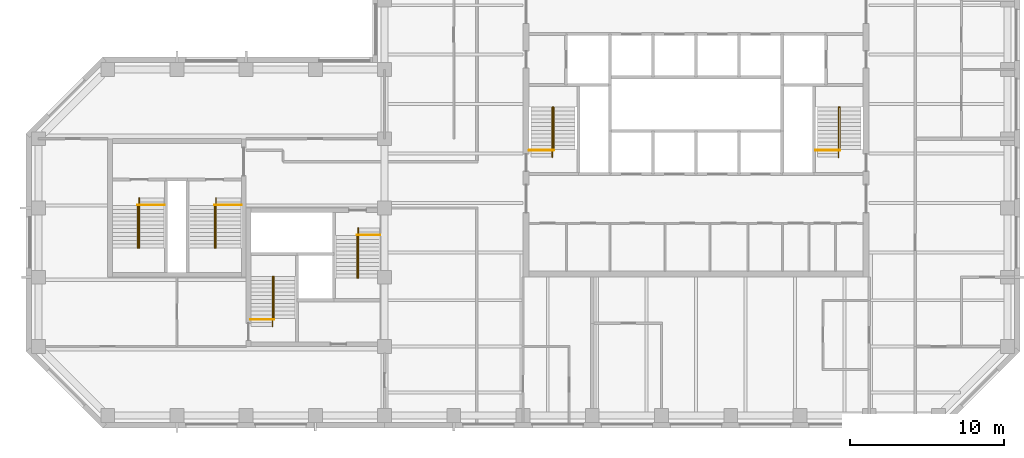
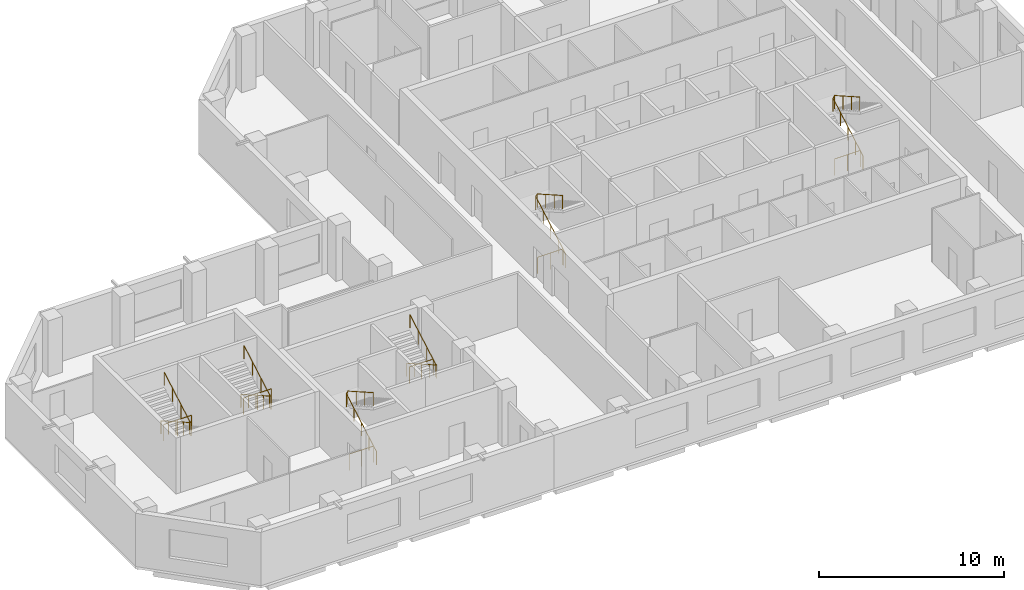
# One storey, part 9 of 9: 12 railings.
"""IFC4 building model written with IfcOpenShell, lengths in metres."""

import ifcopenshell
import ifcopenshell.guid

model = None  # the IFC model being written
_history = None  # IfcOwnerHistory: only IFC2X3 demands one
_inside = {}  # id of a spatial element -> (the spatial element, [elements in it])
_under = {}  # id of a project, library or spatial element -> (it, [spatial elements below it])
_declared = {}  # id of a project -> (the project, [libraries it declares])
_typed = {}  # id of a type object -> (the type object, [elements of that type])
_made_of = {}  # id of a material, layer set ... -> (it, [elements and type objects made of it])


def new_model(schema):
    """Start an empty IFC model of exactly this schema.

    Asked for "IFC4X3", IfcOpenShell would pick the latest addendum, in which some entities
    have other attributes; the version numbers below select the first issue.
    IFC2X3 requires an IfcOwnerHistory on every rooted entity: one is made here for all.
    """
    global model, _history
    if schema == "IFC4X3":
        model = ifcopenshell.file(schema_version=(4, 3, 0, 0))
    else:
        model = ifcopenshell.file(schema=schema)
    _inside.clear()
    _under.clear()
    _declared.clear()
    _typed.clear()
    _made_of.clear()
    _history = None
    if model.schema == "IFC2X3":
        org = make("IfcOrganization", Name="unknown")
        user = make(
            "IfcPersonAndOrganization",
            ThePerson=make("IfcPerson", FamilyName="unknown"),
            TheOrganization=org,
        )
        app = make(
            "IfcApplication",
            ApplicationDeveloper=org,
            Version="unknown",
            ApplicationFullName="unknown",
            ApplicationIdentifier="unknown",
        )
        _history = make(
            "IfcOwnerHistory",
            OwningUser=user,
            OwningApplication=app,
            ChangeAction="ADDED",
            CreationDate=0,
        )
    return model


def make(cls, **values):
    """One entity of the class cls with the attributes given. An attribute that is None is left unset."""
    return model.create_entity(
        cls, **{name: value for name, value in values.items() if value is not None}
    )


def rooted(cls, **values):
    """An entity with a GlobalId (a new one), such as an element, a storey or a relation."""
    return make(cls, GlobalId=ifcopenshell.guid.new(), OwnerHistory=_history, **values)


def si_unit(unit_type, name, prefix=None):
    """IfcSIUnit, for example si_unit("LENGTHUNIT", "METRE", prefix="MILLI")."""
    return make("IfcSIUnit", UnitType=unit_type, Prefix=prefix, Name=name)


def assignment(units):
    """IfcUnitAssignment: the units of a project."""
    return None if units is None else make("IfcUnitAssignment", Units=units)


def point(xyz):
    """IfcCartesianPoint."""
    return None if xyz is None else make("IfcCartesianPoint", Coordinates=xyz)


def direction(xyz):
    """IfcDirection."""
    return None if xyz is None else make("IfcDirection", DirectionRatios=xyz)


def frame(location, z_axis=None, x_axis=None):
    """IfcAxis2Placement3D, a coordinate frame: its origin and axes. An axis left out is left unset."""
    return make(
        "IfcAxis2Placement3D",
        Location=point(location),
        Axis=direction(z_axis),
        RefDirection=direction(x_axis),
    )


def frame_2d(location, x_axis=None):
    """IfcAxis2Placement2D, a coordinate frame in the plane: its origin and x axis."""
    return make(
        "IfcAxis2Placement2D", Location=point(location), RefDirection=direction(x_axis)
    )


def origin():
    """The frame at (0, 0, 0) with its axes left unset."""
    return frame((0.0, 0.0, 0.0))


def origin_2d():
    """The frame at (0, 0) in the plane with its x axis left unset."""
    return frame_2d((0.0, 0.0))


def place(relative_to, where):
    """IfcLocalPlacement: puts the frame where relative to a parent placement (None: the world)."""
    return make(
        "IfcLocalPlacement", PlacementRelTo=relative_to, RelativePlacement=where
    )


def context(
    kind, dimensions, precision=None, world=None, true_north=None, identifier=None
):
    """IfcGeometricRepresentationContext, for example the 3D "Model" context."""
    return make(
        "IfcGeometricRepresentationContext",
        ContextIdentifier=identifier,
        ContextType=kind,
        CoordinateSpaceDimension=dimensions,
        Precision=precision,
        WorldCoordinateSystem=world,
        TrueNorth=true_north,
    )


def subcontext(parent, identifier, kind, view, scale=None):
    """IfcGeometricRepresentationSubContext, for example "Body" below "Model"."""
    return make(
        "IfcGeometricRepresentationSubContext",
        ContextIdentifier=identifier,
        ContextType=kind,
        ParentContext=parent,
        TargetScale=scale,
        TargetView=view,
    )


def project(units=None, contexts=None):
    """IfcProject with its units and contexts."""
    return rooted(
        "IfcProject",
        Name="project",
        RepresentationContexts=contexts,
        UnitsInContext=assignment(units),
    )


def spatial(cls, under=None, at=None, **own):
    """A site, building, storey or space (cls), placed at a placement, below another one or the project."""
    s = rooted(cls, ObjectPlacement=at, **own)
    if under is not None:
        _under.setdefault(under.id(), (under, []))[1].append(s)
    return s


def profile(cls, at=None, kind="AREA", **sizes):
    """A parametric profile (cls). Its sizes go by their IFC names, for example OverallWidth=200.0."""
    return make(cls, ProfileType=kind, Position=at, **sizes)


def circle(**sizes):
    """IfcCircleProfileDef."""
    return profile("IfcCircleProfileDef", **sizes)


def extrude(swept, where, along, depth):
    """IfcExtrudedAreaSolid: the profile swept, set in the frame where, extruded along a direction by depth."""
    return make(
        "IfcExtrudedAreaSolid",
        SweptArea=swept,
        Position=where,
        ExtrudedDirection=direction(along),
        Depth=depth,
    )


def shape(context_of_items, identifier, shape_type, items):
    """IfcShapeRepresentation: the items that make up one representation, for example the "Body"."""
    return make(
        "IfcShapeRepresentation",
        ContextOfItems=context_of_items,
        RepresentationIdentifier=identifier,
        RepresentationType=shape_type,
        Items=items,
    )


def material(Name=None, Category=None):
    """IfcMaterial."""
    return make("IfcMaterial", Name=Name, Category=Category)


def made_of(thing, what):
    """Note that an element or type object is made of a material, layer set ...; save() writes the relation."""
    if what is not None:
        _made_of.setdefault(what.id(), (what, []))[1].append(thing)
    return thing


def type_object(cls, material=None, **own):
    """A type object (cls), such as IfcWallType, which elements share."""
    return made_of(rooted(cls, **own), material)


def element(
    cls,
    number,
    at=None,
    inside=None,
    cuts=None,
    type_object=None,
    material=None,
    context=None,
    identifier="Body",
    shape_type=None,
    held_by="IfcProductDefinitionShape",
    body=None,
    shapes=None,
    **own,
):
    """One element of the class cls, such as IfcWall. Its Tag is "e" and its number.

    at: its placement. inside: the storey or other place that contains it. cuts: it is an
    opening in that element (IfcRelVoidsElement). A single representation is given by context,
    identifier, shape_type and body (its items); several are given by shapes. held_by: the class
    of the entity that holds the representations. save() writes the other relations.
    """
    e = rooted(cls, Tag="e%d" % number, ObjectPlacement=at, **own)
    if body is not None:
        shapes = [shape(context, identifier, shape_type, body)]
    if shapes is not None:
        e.Representation = make(held_by, Representations=shapes)
    if inside is not None:
        _inside.setdefault(inside.id(), (inside, []))[1].append(e)
    if cuts is not None:
        rooted(
            "IfcRelVoidsElement", RelatingBuildingElement=cuts, RelatedOpeningElement=e
        )
    if type_object is not None:
        _typed.setdefault(type_object.id(), (type_object, []))[1].append(e)
    return made_of(e, material)


def aggregate(whole, parts):
    """IfcRelAggregates: a whole, such as a stair, and the parts it consists of."""
    return rooted("IfcRelAggregates", RelatingObject=whole, RelatedObjects=parts)


def save(model, path):
    """Write the relations noted so far, then the file.

    IfcRelAggregates (storeys below a building ...), IfcRelContainedInSpatialStructure (elements
    in a storey), IfcRelDefinesByType, IfcRelAssociatesMaterial and IfcRelDeclares: one each for
    every whole, place, type object, material and project.
    """
    for whole, parts in _under.values():
        aggregate(whole, parts)
    for where, things in _inside.values():
        rooted(
            "IfcRelContainedInSpatialStructure",
            RelatedElements=things,
            RelatingStructure=where,
        )
    for kind, things in _typed.values():
        rooted("IfcRelDefinesByType", RelatedObjects=things, RelatingType=kind)
    for what, things in _made_of.values():
        rooted("IfcRelAssociatesMaterial", RelatedObjects=things, RelatingMaterial=what)
    for by, libraries in _declared.values():
        rooted("IfcRelDeclares", RelatingContext=by, RelatedDefinitions=libraries)
    model.write(path)


model = new_model("IFC4")

# Units and contexts
model_context = context("Model", 3, precision=1e-05, world=origin(), true_north=direction((0.0, 1.0)))
body_context = subcontext(model_context, "Body", "Model", "MODEL_VIEW")
ifc_project = project(units=[si_unit("LENGTHUNIT", "METRE"), si_unit("AREAUNIT", "SQUARE_METRE"), si_unit("VOLUMEUNIT", "CUBIC_METRE"), si_unit("PLANEANGLEUNIT", "RADIAN"), si_unit("MASSUNIT", "GRAM", prefix="KILO")], contexts=[model_context])

# Site, building, storey
site_placement = place(None, origin())
site = spatial("IfcSite", under=ifc_project, at=site_placement, CompositionType="ELEMENT")
building_placement = place(site_placement, origin())
building = spatial("IfcBuilding", under=site, at=building_placement, Name="Quoin Convention Tower", CompositionType="ELEMENT")
storey_placement = place(building_placement, frame((0.0, 0.0, 230.39990234375)))
storey = spatial("IfcBuildingStorey", under=building, at=storey_placement, Name="L60", CompositionType="ELEMENT", Elevation=230.39990234375)

# Railings
ifc_material = material(Name="Stainless steel", Category="steel")
railing_type_1 = type_object("IfcRailingType", Name="Stair handrail 900", PredefinedType="HANDRAIL", material=ifc_material)
railing_1_placement = place(storey_placement, frame((46.905029296875, 57.300048828125, 0.142333984375)))
element("IfcRailing", 1, at=railing_1_placement, inside=storey, type_object=railing_type_1, Name="SD1 handrail 1", PredefinedType="HANDRAIL", context=body_context, shape_type="SweptSolid", body=[
    extrude(circle(Radius=0.02392578125, at=origin_2d()), frame((0.0, 0.0, 0.8759765625), z_axis=(0.0, 0.869053504361, 0.494718108177), x_axis=(-1.0, 0.0, 0.0)), (0.0, 0.0, 1.0), 3.73974609375),
    extrude(circle(Radius=0.02392578125, at=origin_2d()), frame((0.0, 3.25, 2.72607421875), z_axis=(0.53481069233, 0.0, 0.844971906852), x_axis=(0.0, 1.0, 0.0)), (0.0, 0.0, 1.0), 0.16845703125),
    extrude(circle(Radius=0.02392578125, at=origin_2d()), frame((0.090087890625, 3.25, 2.8681640625), z_axis=(0.0, -0.869058607571, 0.494709143443), x_axis=(1.0, 0.0, 0.0)), (0.0, 0.0, 1.0), 3.164306640625),
    extrude(circle(Radius=0.02099609375, at=origin_2d()), origin(), (0.0, 0.0, 1.0), 0.851806640625),
    extrude(circle(Radius=0.02099609375, at=origin_2d()), frame((0.0, 0.8125, 0.46240234375)), (0.0, 0.0, 1.0), 0.851806640625),
    extrude(circle(Radius=0.02099609375, at=origin_2d()), frame((0.0, 1.625, 0.925048828125)), (0.0, 0.0, 1.0), 0.851806640625),
    extrude(circle(Radius=0.02099609375, at=origin_2d()), frame((0.0, 2.4375, 1.3876953125)), (0.0, 0.0, 1.0), 0.851806640625),
    extrude(circle(Radius=0.02099609375, at=origin_2d()), frame((0.0, 3.25, 1.85009765625)), (0.0, 0.0, 1.0), 0.851806640625),
    extrude(circle(Radius=0.02099609375, at=origin_2d()), frame((0.090087890625, 3.25, 1.992431640625)), (0.0, 0.0, 1.0), 0.851806640625),
    extrude(circle(Radius=0.02099609375, at=origin_2d()), frame((0.090087890625, 2.333251953125, 2.51416015625)), (0.0, 0.0, 1.0), 0.851806640625),
    extrude(circle(Radius=0.02099609375, at=origin_2d()), frame((0.090087890625, 1.416748046875, 3.0361328125)), (0.0, 0.0, 1.0), 0.851806640625),
    extrude(circle(Radius=0.02099609375, at=origin_2d()), frame((0.090087890625, 0.5, 3.557861328125)), (0.0, 0.0, 1.0), 0.851806640625),
])
railing_2_placement = place(storey_placement, frame((65.5048828125, 57.300048828125, 0.142333984375)))
element("IfcRailing", 2, at=railing_2_placement, inside=storey, type_object=railing_type_1, Name="SD2 handrail 1", PredefinedType="HANDRAIL", context=body_context, shape_type="SweptSolid", body=[
    extrude(circle(Radius=0.02392578125, at=origin_2d()), frame((0.0, 0.0, 0.8759765625), z_axis=(0.0, 0.869053504361, 0.494718108177), x_axis=(-1.0, 0.0, 0.0)), (0.0, 0.0, 1.0), 3.73974609375),
    extrude(circle(Radius=0.02392578125, at=origin_2d()), frame((0.0, 3.25, 2.72607421875), z_axis=(0.53481069233, 0.0, 0.844971906852), x_axis=(0.0, 1.0, 0.0)), (0.0, 0.0, 1.0), 0.16845703125),
    extrude(circle(Radius=0.02392578125, at=origin_2d()), frame((0.090087890625, 3.25, 2.8681640625), z_axis=(0.0, -0.869058607571, 0.494709143443), x_axis=(1.0, 0.0, 0.0)), (0.0, 0.0, 1.0), 3.164306640625),
    extrude(circle(Radius=0.02099609375, at=origin_2d()), origin(), (0.0, 0.0, 1.0), 0.851806640625),
    extrude(circle(Radius=0.02099609375, at=origin_2d()), frame((0.0, 0.8125, 0.46240234375)), (0.0, 0.0, 1.0), 0.851806640625),
    extrude(circle(Radius=0.02099609375, at=origin_2d()), frame((0.0, 1.625, 0.925048828125)), (0.0, 0.0, 1.0), 0.851806640625),
    extrude(circle(Radius=0.02099609375, at=origin_2d()), frame((0.0, 2.4375, 1.3876953125)), (0.0, 0.0, 1.0), 0.851806640625),
    extrude(circle(Radius=0.02099609375, at=origin_2d()), frame((0.0, 3.25, 1.85009765625)), (0.0, 0.0, 1.0), 0.851806640625),
    extrude(circle(Radius=0.02099609375, at=origin_2d()), frame((0.090087890625, 3.25, 1.992431640625)), (0.0, 0.0, 1.0), 0.851806640625),
    extrude(circle(Radius=0.02099609375, at=origin_2d()), frame((0.090087890625, 2.333251953125, 2.51416015625)), (0.0, 0.0, 1.0), 0.851806640625),
    extrude(circle(Radius=0.02099609375, at=origin_2d()), frame((0.090087890625, 1.416748046875, 3.0361328125)), (0.0, 0.0, 1.0), 0.851806640625),
    extrude(circle(Radius=0.02099609375, at=origin_2d()), frame((0.090087890625, 0.5, 3.557861328125)), (0.0, 0.0, 1.0), 0.851806640625),
])
railing_3_placement = place(storey_placement, frame((28.705078125, 46.300048828125, 0.142333984375)))
element("IfcRailing", 3, at=railing_3_placement, inside=storey, type_object=railing_type_1, Name="SD3 handrail 1", PredefinedType="HANDRAIL", context=body_context, shape_type="SweptSolid", body=[
    extrude(circle(Radius=0.02392578125, at=origin_2d()), frame((0.0, 0.0, 0.8759765625), z_axis=(0.0, 0.869053504361, 0.494718108177), x_axis=(-1.0, 0.0, 0.0)), (0.0, 0.0, 1.0), 3.73974609375),
    extrude(circle(Radius=0.02392578125, at=origin_2d()), frame((0.0, 3.25, 2.72607421875), z_axis=(0.533774684331, 0.0, 0.845626741753), x_axis=(0.0, 1.0, 0.0)), (0.0, 0.0, 1.0), 0.168212890625),
    extrude(circle(Radius=0.02392578125, at=origin_2d()), frame((0.08984375, 3.25, 2.8681640625), z_axis=(0.0, -0.869058607571, 0.494709143443), x_axis=(1.0, 0.0, 0.0)), (0.0, 0.0, 1.0), 3.164306640625),
    extrude(circle(Radius=0.02099609375, at=origin_2d()), origin(), (0.0, 0.0, 1.0), 0.851806640625),
    extrude(circle(Radius=0.02099609375, at=origin_2d()), frame((0.0, 0.8125, 0.46240234375)), (0.0, 0.0, 1.0), 0.851806640625),
    extrude(circle(Radius=0.02099609375, at=origin_2d()), frame((0.0, 1.625, 0.925048828125)), (0.0, 0.0, 1.0), 0.851806640625),
    extrude(circle(Radius=0.02099609375, at=origin_2d()), frame((0.0, 2.4375, 1.3876953125)), (0.0, 0.0, 1.0), 0.851806640625),
    extrude(circle(Radius=0.02099609375, at=origin_2d()), frame((0.0, 3.25, 1.85009765625)), (0.0, 0.0, 1.0), 0.851806640625),
    extrude(circle(Radius=0.02099609375, at=origin_2d()), frame((0.08984375, 3.25, 1.992431640625)), (0.0, 0.0, 1.0), 0.851806640625),
    extrude(circle(Radius=0.02099609375, at=origin_2d()), frame((0.08984375, 2.333251953125, 2.51416015625)), (0.0, 0.0, 1.0), 0.851806640625),
    extrude(circle(Radius=0.02099609375, at=origin_2d()), frame((0.08984375, 1.416748046875, 3.0361328125)), (0.0, 0.0, 1.0), 0.851806640625),
    extrude(circle(Radius=0.02099609375, at=origin_2d()), frame((0.08984375, 0.5, 3.557861328125)), (0.0, 0.0, 1.0), 0.851806640625),
])
railing_4_placement = place(storey_placement, frame((34.294921875, 52.699951171875, 0.142333984375)))
element("IfcRailing", 4, at=railing_4_placement, inside=storey, type_object=railing_type_1, Name="SD4 handrail 1", PredefinedType="HANDRAIL", context=body_context, shape_type="SweptSolid", body=[
    extrude(circle(Radius=0.02392578125, at=origin_2d()), frame((0.0, 0.0, 0.8759765625), z_axis=(0.0, -0.869053504361, 0.494718108177), x_axis=(1.0, 0.0, 0.0)), (0.0, 0.0, 1.0), 3.73974609375),
    extrude(circle(Radius=0.02392578125, at=origin_2d()), frame((0.0, -3.25, 2.72607421875), z_axis=(-0.533774684331, 0.0, 0.845626741753), x_axis=(0.0, -1.0, 0.0)), (0.0, 0.0, 1.0), 0.168212890625),
    extrude(circle(Radius=0.02392578125, at=origin_2d()), frame((-0.08984375, -3.25, 2.8681640625), z_axis=(0.0, 0.869058607571, 0.494709143443), x_axis=(-1.0, 0.0, 0.0)), (0.0, 0.0, 1.0), 3.164306640625),
    extrude(circle(Radius=0.02099609375, at=origin_2d()), origin(), (0.0, 0.0, 1.0), 0.851806640625),
    extrude(circle(Radius=0.02099609375, at=origin_2d()), frame((0.0, -0.8125, 0.46240234375)), (0.0, 0.0, 1.0), 0.851806640625),
    extrude(circle(Radius=0.02099609375, at=origin_2d()), frame((0.0, -1.625, 0.925048828125)), (0.0, 0.0, 1.0), 0.851806640625),
    extrude(circle(Radius=0.02099609375, at=origin_2d()), frame((0.0, -2.4375, 1.3876953125)), (0.0, 0.0, 1.0), 0.851806640625),
    extrude(circle(Radius=0.02099609375, at=origin_2d()), frame((0.0, -3.25, 1.85009765625)), (0.0, 0.0, 1.0), 0.851806640625),
    extrude(circle(Radius=0.02099609375, at=origin_2d()), frame((-0.08984375, -3.25, 1.992431640625)), (0.0, 0.0, 1.0), 0.851806640625),
    extrude(circle(Radius=0.02099609375, at=origin_2d()), frame((-0.08984375, -2.333251953125, 2.51416015625)), (0.0, 0.0, 1.0), 0.851806640625),
    extrude(circle(Radius=0.02099609375, at=origin_2d()), frame((-0.08984375, -1.416748046875, 3.0361328125)), (0.0, 0.0, 1.0), 0.851806640625),
    extrude(circle(Radius=0.02099609375, at=origin_2d()), frame((-0.08984375, -0.5, 3.557861328125)), (0.0, 0.0, 1.0), 0.851806640625),
])
railing_5_placement = place(storey_placement, frame((20.044921875, 54.64990234375, 0.142333984375)))
element("IfcRailing", 5, at=railing_5_placement, inside=storey, type_object=railing_type_1, Name="SD11 handrail 1", PredefinedType="HANDRAIL", context=body_context, shape_type="SweptSolid", body=[
    extrude(circle(Radius=0.02392578125, at=origin_2d()), frame((0.0, 0.0, 0.8759765625), z_axis=(0.0, -0.869053504361, 0.494718108177), x_axis=(1.0, 0.0, 0.0)), (0.0, 0.0, 1.0), 3.73974609375),
    extrude(circle(Radius=0.02392578125, at=origin_2d()), frame((0.0, -3.25, 2.72607421875), z_axis=(-0.533774684331, 0.0, 0.845626741753), x_axis=(0.0, -1.0, 0.0)), (0.0, 0.0, 1.0), 0.168212890625),
    extrude(circle(Radius=0.02392578125, at=origin_2d()), frame((-0.08984375, -3.25, 2.8681640625), z_axis=(0.0, 0.869058607571, 0.494709143443), x_axis=(-1.0, 0.0, 0.0)), (0.0, 0.0, 1.0), 3.164306640625),
    extrude(circle(Radius=0.02099609375, at=origin_2d()), origin(), (0.0, 0.0, 1.0), 0.851806640625),
    extrude(circle(Radius=0.02099609375, at=origin_2d()), frame((0.0, -0.8125, 0.46240234375)), (0.0, 0.0, 1.0), 0.851806640625),
    extrude(circle(Radius=0.02099609375, at=origin_2d()), frame((0.0, -1.625, 0.925048828125)), (0.0, 0.0, 1.0), 0.851806640625),
    extrude(circle(Radius=0.02099609375, at=origin_2d()), frame((0.0, -2.4375, 1.3876953125)), (0.0, 0.0, 1.0), 0.851806640625),
    extrude(circle(Radius=0.02099609375, at=origin_2d()), frame((0.0, -3.25, 1.85009765625)), (0.0, 0.0, 1.0), 0.851806640625),
    extrude(circle(Radius=0.02099609375, at=origin_2d()), frame((-0.08984375, -3.25, 1.992431640625)), (0.0, 0.0, 1.0), 0.851806640625),
    extrude(circle(Radius=0.02099609375, at=origin_2d()), frame((-0.08984375, -2.333251953125, 2.51416015625)), (0.0, 0.0, 1.0), 0.851806640625),
    extrude(circle(Radius=0.02099609375, at=origin_2d()), frame((-0.08984375, -1.416748046875, 3.0361328125)), (0.0, 0.0, 1.0), 0.851806640625),
    extrude(circle(Radius=0.02099609375, at=origin_2d()), frame((-0.08984375, -0.5, 3.557861328125)), (0.0, 0.0, 1.0), 0.851806640625),
])
railing_6_placement = place(storey_placement, frame((25.044921875, 54.64990234375, 0.142333984375)))
element("IfcRailing", 6, at=railing_6_placement, inside=storey, type_object=railing_type_1, Name="SD12 handrail 1", PredefinedType="HANDRAIL", context=body_context, shape_type="SweptSolid", body=[
    extrude(circle(Radius=0.02392578125, at=origin_2d()), frame((0.0, 0.0, 0.8759765625), z_axis=(0.0, -0.869053504361, 0.494718108177), x_axis=(1.0, 0.0, 0.0)), (0.0, 0.0, 1.0), 3.73974609375),
    extrude(circle(Radius=0.02392578125, at=origin_2d()), frame((0.0, -3.25, 2.72607421875), z_axis=(-0.533774684331, 0.0, 0.845626741753), x_axis=(0.0, -1.0, 0.0)), (0.0, 0.0, 1.0), 0.168212890625),
    extrude(circle(Radius=0.02392578125, at=origin_2d()), frame((-0.08984375, -3.25, 2.8681640625), z_axis=(0.0, 0.869058607571, 0.494709143443), x_axis=(-1.0, 0.0, 0.0)), (0.0, 0.0, 1.0), 3.164306640625),
    extrude(circle(Radius=0.02099609375, at=origin_2d()), origin(), (0.0, 0.0, 1.0), 0.851806640625),
    extrude(circle(Radius=0.02099609375, at=origin_2d()), frame((0.0, -0.8125, 0.46240234375)), (0.0, 0.0, 1.0), 0.851806640625),
    extrude(circle(Radius=0.02099609375, at=origin_2d()), frame((0.0, -1.625, 0.925048828125)), (0.0, 0.0, 1.0), 0.851806640625),
    extrude(circle(Radius=0.02099609375, at=origin_2d()), frame((0.0, -2.4375, 1.3876953125)), (0.0, 0.0, 1.0), 0.851806640625),
    extrude(circle(Radius=0.02099609375, at=origin_2d()), frame((0.0, -3.25, 1.85009765625)), (0.0, 0.0, 1.0), 0.851806640625),
    extrude(circle(Radius=0.02099609375, at=origin_2d()), frame((-0.08984375, -3.25, 1.992431640625)), (0.0, 0.0, 1.0), 0.851806640625),
    extrude(circle(Radius=0.02099609375, at=origin_2d()), frame((-0.08984375, -2.333251953125, 2.51416015625)), (0.0, 0.0, 1.0), 0.851806640625),
    extrude(circle(Radius=0.02099609375, at=origin_2d()), frame((-0.08984375, -1.416748046875, 3.0361328125)), (0.0, 0.0, 1.0), 0.851806640625),
    extrude(circle(Radius=0.02099609375, at=origin_2d()), frame((-0.08984375, -0.5, 3.557861328125)), (0.0, 0.0, 1.0), 0.851806640625),
])
railing_type_2 = type_object("IfcRailingType", Name="Stair top guard 1100", PredefinedType="GUARDRAIL", material=ifc_material)
railing_7_placement = place(storey_placement, frame((45.39990234375, 57.75, 0.0)))
element("IfcRailing", 7, at=railing_7_placement, inside=storey, type_object=railing_type_2, Name="SD1 top guard", PredefinedType="GUARDRAIL", context=body_context, shape_type="SweptSolid", body=[
    extrude(circle(Radius=0.02392578125, at=origin_2d()), frame((0.0, 0.0, 1.076171875), z_axis=(1.0, 0.0, 0.0), x_axis=(0.0, 1.0, 0.0)), (0.0, 0.0, 1.0), 1.59521484375),
    extrude(circle(Radius=0.02099609375, at=origin_2d()), origin(), (0.0, 0.0, 1.0), 1.052001953125),
    extrude(circle(Radius=0.02099609375, at=origin_2d()), frame((0.797607421875, 0.0, 0.0)), (0.0, 0.0, 1.0), 1.052001953125),
    extrude(circle(Radius=0.02099609375, at=origin_2d()), frame((1.59521484375, 0.0, 0.0)), (0.0, 0.0, 1.0), 1.052001953125),
])
railing_8_placement = place(storey_placement, frame((64.0, 57.75, 0.0)))
element("IfcRailing", 8, at=railing_8_placement, inside=storey, type_object=railing_type_2, Name="SD2 top guard", PredefinedType="GUARDRAIL", context=body_context, shape_type="SweptSolid", body=[
    extrude(circle(Radius=0.02392578125, at=origin_2d()), frame((0.0, 0.0, 1.076171875), z_axis=(1.0, 0.0, 0.0), x_axis=(0.0, 1.0, 0.0)), (0.0, 0.0, 1.0), 1.594970703125),
    extrude(circle(Radius=0.02099609375, at=origin_2d()), origin(), (0.0, 0.0, 1.0), 1.052001953125),
    extrude(circle(Radius=0.02099609375, at=origin_2d()), frame((0.79736328125, 0.0, 0.0)), (0.0, 0.0, 1.0), 1.052001953125),
    extrude(circle(Radius=0.02099609375, at=origin_2d()), frame((1.594970703125, 0.0, 0.0)), (0.0, 0.0, 1.0), 1.052001953125),
])
railing_9_placement = place(storey_placement, frame((27.300048828125, 46.75, 0.0)))
element("IfcRailing", 9, at=railing_9_placement, inside=storey, type_object=railing_type_2, Name="SD3 top guard", PredefinedType="GUARDRAIL", context=body_context, shape_type="SweptSolid", body=[
    extrude(circle(Radius=0.02392578125, at=origin_2d()), frame((0.0, 0.0, 1.076171875), z_axis=(1.0, 0.0, 0.0), x_axis=(0.0, 1.0, 0.0)), (0.0, 0.0, 1.0), 1.494873046875),
    extrude(circle(Radius=0.02099609375, at=origin_2d()), origin(), (0.0, 0.0, 1.0), 1.052001953125),
    extrude(circle(Radius=0.02099609375, at=origin_2d()), frame((0.74755859375, 0.0, 0.0)), (0.0, 0.0, 1.0), 1.052001953125),
    extrude(circle(Radius=0.02099609375, at=origin_2d()), frame((1.494873046875, 0.0, 0.0)), (0.0, 0.0, 1.0), 1.052001953125),
])
railing_10_placement = place(storey_placement, frame((35.699951171875, 52.25, 0.0)))
element("IfcRailing", 10, at=railing_10_placement, inside=storey, type_object=railing_type_2, Name="SD4 top guard", PredefinedType="GUARDRAIL", context=body_context, shape_type="SweptSolid", body=[
    extrude(circle(Radius=0.02392578125, at=origin_2d()), frame((0.0, 0.0, 1.076171875), z_axis=(-1.0, 0.0, 0.0), x_axis=(0.0, -1.0, 0.0)), (0.0, 0.0, 1.0), 1.494873046875),
    extrude(circle(Radius=0.02099609375, at=origin_2d()), origin(), (0.0, 0.0, 1.0), 1.052001953125),
    extrude(circle(Radius=0.02099609375, at=origin_2d()), frame((-0.74755859375, 0.0, 0.0)), (0.0, 0.0, 1.0), 1.052001953125),
    extrude(circle(Radius=0.02099609375, at=origin_2d()), frame((-1.494873046875, 0.0, 0.0)), (0.0, 0.0, 1.0), 1.052001953125),
])
for number, where, name in (
    (11, (21.699951171875, 54.199951171875, 0.0), "SD11 top guard"),
    (12, (26.699951171875, 54.199951171875, 0.0), "SD12 top guard"),
):
    element("IfcRailing", number, at=place(storey_placement, frame(where)), inside=storey, type_object=railing_type_2, Name=name, PredefinedType="GUARDRAIL", context=body_context, shape_type="SweptSolid", body=[
        extrude(circle(Radius=0.02392578125, at=origin_2d()), frame((0.0, 0.0, 1.076171875), z_axis=(-1.0, 0.0, 0.0), x_axis=(0.0, -1.0, 0.0)), (0.0, 0.0, 1.0), 1.744873046875),
        extrude(circle(Radius=0.02099609375, at=origin_2d()), origin(), (0.0, 0.0, 1.0), 1.052001953125),
        extrude(circle(Radius=0.02099609375, at=origin_2d()), frame((-0.87255859375, 0.0, 0.0)), (0.0, 0.0, 1.0), 1.052001953125),
        extrude(circle(Radius=0.02099609375, at=origin_2d()), frame((-1.744873046875, 0.0, 0.0)), (0.0, 0.0, 1.0), 1.052001953125),
    ])

save(model, "model.ifc")
